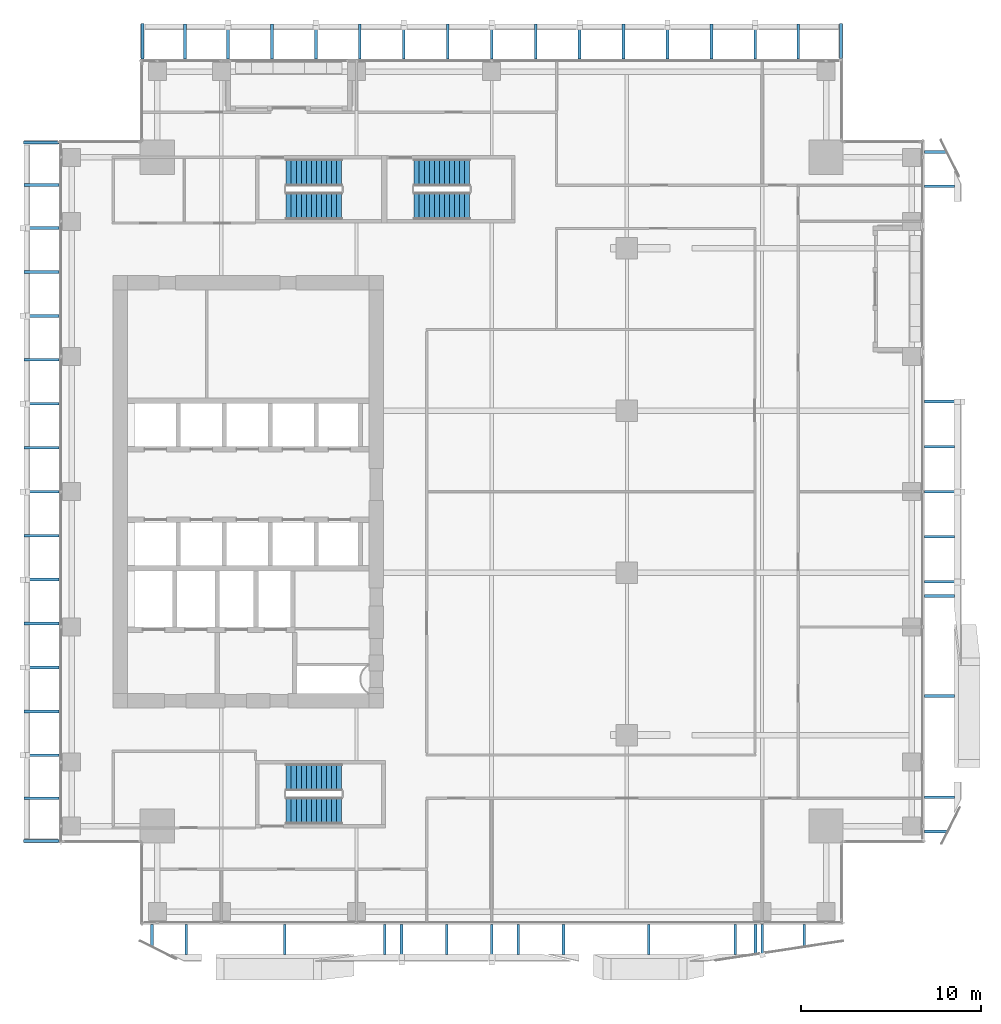
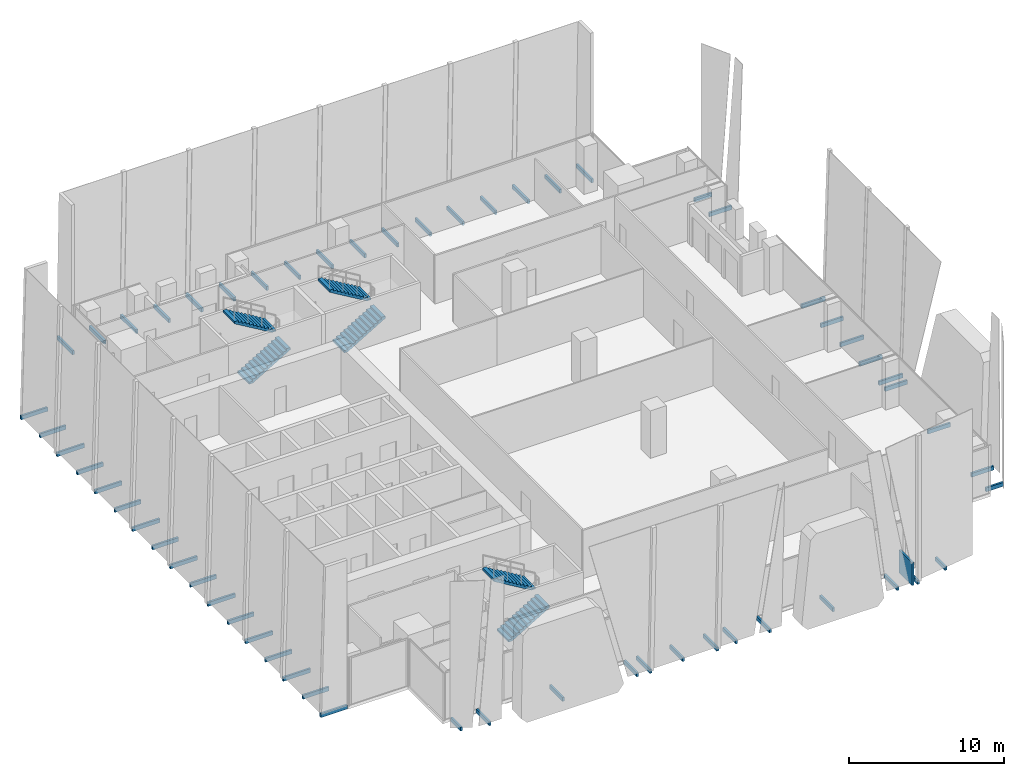
# One storey, part 31 of 35: 59 discrete accessories, 6 stair flights, 3 elements without a shape of their own.
"""IFC4 building model written with IfcOpenShell, lengths in metres."""

from ifc_helpers import new_model, si_unit, direction, frame, origin, origin_2d, place, context, subcontext, project, spatial, polyline, rectangle, outline, extrude, source, transform, mapped, material, type_object, element, aggregate, save


model = new_model("IFC4")

# Units and contexts
model_context = context("Model", 3, precision=1e-05, world=origin(), true_north=direction((0.0, 1.0)))
body_context = subcontext(model_context, "Body", "Model", "MODEL_VIEW")
ifc_project = project(units=[si_unit("LENGTHUNIT", "METRE"), si_unit("AREAUNIT", "SQUARE_METRE"), si_unit("VOLUMEUNIT", "CUBIC_METRE"), si_unit("PLANEANGLEUNIT", "RADIAN"), si_unit("MASSUNIT", "GRAM", prefix="KILO")], contexts=[model_context])

# Site, building, storey
site_placement = place(None, origin())
site = spatial("IfcSite", under=ifc_project, at=site_placement, CompositionType="ELEMENT")
building_placement = place(site_placement, origin())
building = spatial("IfcBuilding", under=site, at=building_placement, Name="Khomas Fold Tower", CompositionType="ELEMENT")
storey_placement = place(building_placement, frame((0.0, 0.0, 188.699951171875)))
storey = spatial("IfcBuildingStorey", under=building, at=storey_placement, Name="L41", CompositionType="ELEMENT", Elevation=188.699951171875)

# Stair, stair flights
ifc_material_1 = material(Name="Concrete C40/50", Category="concrete")
stair_type_1 = type_object("IfcStairType", Name="Stair ST1", PredefinedType="HALF_TURN_STAIR", material=ifc_material_1)
stair_1_placement = place(storey_placement, origin())
stair_1 = element("IfcStair", 1, at=stair_1_placement, inside=storey, type_object=stair_type_1, Name="L41 ST1", PredefinedType="HALF_TURN_STAIR")
ifc_material_2 = material(Name="Concrete C40/50", Category="concrete")
stair_flight_type_1 = type_object("IfcStairFlightType", Name="Stair flight 1500 ST1", PredefinedType="STRAIGHT", material=ifc_material_2)
shared_shape_1 = source(origin(), body_context, "Body", "SweptSolid", [
    extrude(outline(polyline([(0.0, 0.0), (0.0, 0.012939453125), (0.0, 0.025634765625), (0.0, 0.03857421875), (0.0, 0.05126953125), (0.0, 0.064208984375), (0.0, 0.076904296875), (0.0, 0.08984375), (0.0, 0.1025390625), (0.0, 0.115478515625), (0.0, 0.128173828125), (0.0, 0.14111328125), (0.0, 0.15380859375), (0.0, 0.166748046875), (0.280029296875, 0.166748046875), (0.280029296875, 0.333251953125), (0.56005859375, 0.333251953125), (0.56005859375, 0.5), (0.840087890625, 0.5), (0.840087890625, 0.666748046875), (1.1201171875, 0.666748046875), (1.1201171875, 0.833251953125), (1.39990234375, 0.833251953125), (1.39990234375, 1.0), (1.679931640625, 1.0), (1.679931640625, 1.166748046875), (1.9599609375, 1.166748046875), (1.9599609375, 1.333251953125), (2.239990234375, 1.333251953125), (2.239990234375, 1.5), (2.52001953125, 1.5), (2.52001953125, 1.666748046875), (2.800048828125, 1.666748046875), (2.800048828125, 1.833251953125), (3.080078125, 1.833251953125), (3.080078125, 2.0), (3.080078125, 1.973876953125), (3.080078125, 1.947509765625), (3.080078125, 1.92138671875), (3.080078125, 1.89501953125), (3.080078125, 1.868896484375), (3.080078125, 1.842529296875), (3.080078125, 1.81640625), (3.080078125, 1.7900390625), (3.080078125, 1.763916015625), (3.080078125, 1.737548828125), (3.080078125, 1.71142578125), (3.080078125, 1.68505859375), (3.080078125, 1.658935546875), (0.29296875, 0.0), (0.0, 0.0)])), frame((0.0, 0.75, 0.0), z_axis=(0.0, -1.0, 0.0), x_axis=(1.0, 0.0, 0.0)), (0.0, 0.0, 1.0), 1.5),
])
stair_flight_1_placement = place(storey_placement, frame((15.60009765625, 42.85009765625, 0.0), z_axis=(0.0, 0.0, 1.0), x_axis=(1.0, 0.0, 0.0)))
stair_flight_1 = element("IfcStairFlight", 2, at=stair_flight_1_placement, type_object=stair_flight_type_1, Name="ST1 flight 1", NumberOfRisers=12, NumberOfTreads=11, PredefinedType="STRAIGHT", RiserHeight=0.166666667, TreadLength=0.28, context=body_context, shape_type="MappedRepresentation", body=[
    mapped(shared_shape_1, transform((0.0, 0.0, 0.0))),
])
stair_flight_2_placement = place(storey_placement, frame((18.679931640625, 44.699951171875, 2.0), z_axis=(0.0, 0.0, 1.0), x_axis=(-1.0, 0.0, 0.0)))
stair_flight_2 = element("IfcStairFlight", 3, at=stair_flight_2_placement, type_object=stair_flight_type_1, Name="ST1 flight 2", NumberOfRisers=12, NumberOfTreads=11, PredefinedType="STRAIGHT", RiserHeight=0.166666667, TreadLength=0.28, context=body_context, shape_type="MappedRepresentation", body=[
    mapped(shared_shape_1, transform((0.0, 0.0, 0.0))),
])
aggregate(stair_1, [stair_flight_1, stair_flight_2])

ifc_material_3 = material(Name="Concrete C40/50", Category="concrete")
stair_type_2 = type_object("IfcStairType", Name="Stair ST2", PredefinedType="HALF_TURN_STAIR", material=ifc_material_3)
stair_2_placement = place(storey_placement, origin())
stair_2 = element("IfcStair", 4, at=stair_2_placement, inside=storey, type_object=stair_type_2, Name="L41 ST2", PredefinedType="HALF_TURN_STAIR")
ifc_material_4 = material(Name="Concrete C40/50", Category="concrete")
stair_flight_type_2 = type_object("IfcStairFlightType", Name="Stair flight 1500 ST2", PredefinedType="STRAIGHT", material=ifc_material_4)
stair_flight_3_placement = place(storey_placement, frame((15.60009765625, 9.300048828125, 0.0), z_axis=(0.0, 0.0, 1.0), x_axis=(1.0, 0.0, 0.0)))
stair_flight_3 = element("IfcStairFlight", 5, at=stair_flight_3_placement, type_object=stair_flight_type_2, Name="ST2 flight 1", NumberOfRisers=12, NumberOfTreads=11, PredefinedType="STRAIGHT", RiserHeight=0.166666667, TreadLength=0.28, context=body_context, shape_type="MappedRepresentation", body=[
    mapped(shared_shape_1, transform((0.0, 0.0, 0.0))),
])
stair_flight_4_placement = place(storey_placement, frame((18.679931640625, 11.14990234375, 2.0), z_axis=(0.0, 0.0, 1.0), x_axis=(-1.0, 0.0, 0.0)))
stair_flight_4 = element("IfcStairFlight", 6, at=stair_flight_4_placement, type_object=stair_flight_type_2, Name="ST2 flight 2", NumberOfRisers=12, NumberOfTreads=11, PredefinedType="STRAIGHT", RiserHeight=0.166666667, TreadLength=0.28, context=body_context, shape_type="MappedRepresentation", body=[
    mapped(shared_shape_1, transform((0.0, 0.0, 0.0))),
])
aggregate(stair_2, [stair_flight_3, stair_flight_4])

ifc_material_5 = material(Name="Concrete C40/50", Category="concrete")
stair_type_3 = type_object("IfcStairType", Name="Stair ST3", PredefinedType="HALF_TURN_STAIR", material=ifc_material_5)
stair_3_placement = place(storey_placement, origin())
stair_3 = element("IfcStair", 7, at=stair_3_placement, inside=storey, type_object=stair_type_3, Name="L41 ST3", PredefinedType="HALF_TURN_STAIR")
ifc_material_6 = material(Name="Concrete C40/50", Category="concrete")
stair_flight_type_3 = type_object("IfcStairFlightType", Name="Stair flight 1500 ST3", PredefinedType="STRAIGHT", material=ifc_material_6)
stair_flight_5_placement = place(storey_placement, frame((22.699951171875, 42.85009765625, 0.0), z_axis=(0.0, 0.0, 1.0), x_axis=(1.0, 0.0, 0.0)))
stair_flight_5 = element("IfcStairFlight", 8, at=stair_flight_5_placement, type_object=stair_flight_type_3, Name="ST3 flight 1", NumberOfRisers=12, NumberOfTreads=11, PredefinedType="STRAIGHT", RiserHeight=0.166666667, TreadLength=0.28, context=body_context, shape_type="MappedRepresentation", body=[
    mapped(shared_shape_1, transform((0.0, 0.0, 0.0))),
])
stair_flight_6_placement = place(storey_placement, frame((25.780029296875, 44.699951171875, 2.0), z_axis=(0.0, 0.0, 1.0), x_axis=(-1.0, 0.0, 0.0)))
stair_flight_6 = element("IfcStairFlight", 9, at=stair_flight_6_placement, type_object=stair_flight_type_3, Name="ST3 flight 2", NumberOfRisers=12, NumberOfTreads=11, PredefinedType="STRAIGHT", RiserHeight=0.166666667, TreadLength=0.28, context=body_context, shape_type="MappedRepresentation", body=[
    mapped(shared_shape_1, transform((0.0, 0.0, 0.0))),
])
aggregate(stair_3, [stair_flight_5, stair_flight_6])

# Discrete accessories
ifc_material_7 = material(Name="Stainless steel", Category="steel")
discrete_accessory_type = type_object("IfcDiscreteAccessoryType", Name="SK-Stainless steel stone bracket", PredefinedType="BRACKET", material=ifc_material_7)
shared_shape_2 = source(origin(), body_context, "Body", "SweptSolid", [
    extrude(rectangle(XDim=1.67724609375, YDim=0.14990234375, at=origin_2d()), origin(), (0.0, 0.0, 1.0), 0.31005859375),
])
for number, where, z_axis, x_axis, name in (
    (10, (15.5263671875, 2.161376953125, -0.25), (0.0, 0.0, 1.0), (0.0, -1.0, 0.0), "Stone bracket L41 SS03-1-1"),
    (11, (35.7099609375, 2.161376953125, -0.25), (0.0, 0.0, 1.0), (0.0, -1.0, 0.0), "Stone bracket L41 SS06-2-1"),
    (12, (51.838623046875, 15.668701171875, -0.25), (0.0, 0.0, 1.0), (1.0, 0.0, 0.0), "Stone bracket L41 ES03-1-1"),
    (13, (10.051513671875, 2.161376953125, -0.25), (0.0, 0.0, 1.0), (0.0, -1.0, 0.0), "Stone bracket L41 SG099-1-1"),
    (14, (30.98388671875, 2.161376953125, -0.25), (0.0, 0.0, 1.0), (0.0, -1.0, 0.0), "Stone bracket L41 SG103-3-1"),
    (15, (21.072998046875, 2.161376953125, -0.25), (0.0, 0.0, 1.0), (0.0, -1.0, 0.0), "Stone bracket L41 SG101-4-1"),
    (16, (24.5, 2.161376953125, -0.25), (0.0, 0.0, 1.0), (0.0, -1.0, 0.0), "Stone bracket L41 SG102-6-1"),
    (17, (28.469482421875, 2.161376953125, -0.25), (0.0, 0.0, 1.0), (0.0, -1.0, 0.0), "Stone bracket L41 SG103-8-1"),
    (18, (40.50244140625, 2.161376953125, -0.25), (0.0, 0.0, 1.0), (0.0, -1.0, 0.0), "Stone bracket L41 SG105-9-1"),
    (19, (51.838623046875, 10.051513671875, -0.25), (0.0, 0.0, 1.0), (1.0, 0.0, 0.0), "Stone bracket L41 EG099-1-1"),
    (20, (51.838623046875, 21.21875, -0.25), (0.0, 0.0, 1.0), (1.0, 0.0, 0.0), "Stone bracket L41 EG101-3-1"),
    (21, (51.838623046875, 24.5, -0.25), (0.0, 0.0, 1.0), (1.0, 0.0, 0.0), "Stone bracket L41 EG102-5-1"),
    (22, (51.838623046875, 29.5, -0.25), (0.0, 0.0, 1.0), (1.0, 0.0, 0.0), "Stone bracket L41 EG103-7-1"),
    (23, (51.838623046875, 43.948486328125, -0.25), (0.0, 0.0, 1.0), (1.0, 0.0, 0.0), "Stone bracket L41 EG106-9-1"),
):
    element("IfcDiscreteAccessory", number, at=place(storey_placement, frame(where, z_axis=z_axis, x_axis=x_axis)), inside=storey, type_object=discrete_accessory_type, Name=name, PredefinedType="BRACKET", context=body_context, shape_type="MappedRepresentation", body=[
        mapped(shared_shape_2, transform((0.0, 0.0, 0.0))),
    ])
shared_shape_3 = source(origin(), body_context, "Body", "SweptSolid", [
    extrude(rectangle(XDim=1.2890625, YDim=0.14990234375, at=origin_2d()), origin(), (0.0, 0.0, 1.0), 0.31005859375),
])
for number, where, z_axis, x_axis, name in (
    (24, (8.1533203125, 2.35546875, -0.25), (0.0, 0.0, 1.0), (0.0, -1.0, 0.0), "Stone bracket L41 SG099-2-1"),
    (25, (51.64453125, 8.1533203125, -0.25), (0.0, 0.0, 1.0), (1.0, 0.0, 0.0), "Stone bracket L41 EG099-2-1"),
    (26, (51.64453125, 45.8466796875, -0.25), (0.0, 0.0, 1.0), (1.0, 0.0, 0.0), "Stone bracket L41 EG106-10-1"),
):
    element("IfcDiscreteAccessory", number, at=place(storey_placement, frame(where, z_axis=z_axis, x_axis=x_axis)), inside=storey, type_object=discrete_accessory_type, Name=name, PredefinedType="BRACKET", context=body_context, shape_type="MappedRepresentation", body=[
        mapped(shared_shape_3, transform((0.0, 0.0, 0.0))),
    ])
shared_shape_4 = source(origin(), body_context, "Body", "SweptSolid", [
    extrude(rectangle(XDim=1.772216796875, YDim=0.14990234375, at=origin_2d()), origin(), (0.0, 0.0, 1.0), 0.31005859375),
])
for number, where, z_axis, x_axis, name in (
    (27, (22.0, 2.11376953125, -0.25), (0.0, 0.0, 1.0), (0.0, -1.0, 0.0), "Stone bracket L41 SM102-5-1"),
    (28, (27.0, 2.11376953125, -0.25), (0.0, 0.0, 1.0), (0.0, -1.0, 0.0), "Stone bracket L41 SM103-7-1"),
    (29, (51.88623046875, 22.0, -0.25), (0.0, 0.0, 1.0), (1.0, 0.0, 0.0), "Stone bracket L41 EM102-4-1"),
    (30, (51.88623046875, 27.0, -0.25), (0.0, 0.0, 1.0), (1.0, 0.0, 0.0), "Stone bracket L41 EM103-6-1"),
    (31, (51.88623046875, 32.0, -0.25), (0.0, 0.0, 1.0), (1.0, 0.0, 0.0), "Stone bracket L41 EM104-8-1"),
):
    element("IfcDiscreteAccessory", number, at=place(storey_placement, frame(where, z_axis=z_axis, x_axis=x_axis)), inside=storey, type_object=discrete_accessory_type, Name=name, PredefinedType="BRACKET", context=body_context, shape_type="MappedRepresentation", body=[
        mapped(shared_shape_4, transform((0.0, 0.0, 0.0))),
    ])
shared_shape_5 = source(origin(), body_context, "Body", "SweptSolid", [
    extrude(rectangle(XDim=1.676025390625, YDim=0.14990234375, at=origin_2d()), origin(), (0.0, 0.0, 1.0), 1.81005859375),
])
discrete_accessory_1_placement = place(storey_placement, frame((41.634033203125, 2.161865234375, -0.25), z_axis=(0.0, 0.0, 1.0), x_axis=(0.0, -1.0, 0.0)))
element("IfcDiscreteAccessory", 32, at=discrete_accessory_1_placement, inside=storey, type_object=discrete_accessory_type, Name="Stone bracket L41 SG105-10-1", PredefinedType="BRACKET", context=body_context, shape_type="MappedRepresentation", body=[
    mapped(shared_shape_5, transform((0.0, 0.0, 0.0))),
])
shared_shape_6 = source(origin(), body_context, "Body", "SweptSolid", [
    extrude(rectangle(XDim=1.73828125, YDim=0.14990234375, at=origin_2d()), origin(), (0.0, 0.0, 1.0), 0.31005859375),
])
discrete_accessory_2_placement = place(storey_placement, frame((42.0, 2.130859375, -0.25), z_axis=(0.0, 0.0, 1.0), x_axis=(0.0, -1.0, 0.0)))
element("IfcDiscreteAccessory", 33, at=discrete_accessory_2_placement, inside=storey, type_object=discrete_accessory_type, Name="Stone bracket L41 SM106-11-1", PredefinedType="BRACKET", context=body_context, shape_type="MappedRepresentation", body=[
    mapped(shared_shape_6, transform((0.0, 0.0, 0.0))),
])
shared_shape_7 = source(origin(), body_context, "Body", "SweptSolid", [
    extrude(rectangle(XDim=1.265380859375, YDim=0.14990234375, at=origin_2d()), origin(), (0.0, 0.0, 1.0), 0.31005859375),
])
discrete_accessory_3_placement = place(storey_placement, frame((44.3349609375, 2.3671875, -0.25), z_axis=(0.0, 0.0, 1.0), x_axis=(0.0, -1.0, 0.0)))
element("IfcDiscreteAccessory", 34, at=discrete_accessory_3_placement, inside=storey, type_object=discrete_accessory_type, Name="Stone bracket L41 SG106-12-1", PredefinedType="BRACKET", context=body_context, shape_type="MappedRepresentation", body=[
    mapped(shared_shape_7, transform((0.0, 0.0, 0.0))),
])
shared_shape_8 = source(origin(), body_context, "Body", "SweptSolid", [
    extrude(rectangle(XDim=1.94091796875, YDim=0.14990234375, at=origin_2d()), origin(), (0.0, 0.0, 1.0), 0.31005859375),
])
for number, where, z_axis, x_axis, name in (
    (35, (9.987548828125, 51.970458984375, -0.25), (0.0, 0.0, 1.0), (0.0, 1.0, 0.0), "Stone bracket L41 PLNG01"),
    (36, (14.8125, 51.970458984375, -0.25), (0.0, 0.0, 1.0), (0.0, 1.0, 0.0), "Stone bracket L41 PLNG03"),
    (37, (19.6875, 51.970458984375, -0.25), (0.0, 0.0, 1.0), (0.0, 1.0, 0.0), "Stone bracket L41 PLNG05"),
    (38, (24.5625, 51.970458984375, -0.25), (0.0, 0.0, 1.0), (0.0, 1.0, 0.0), "Stone bracket L41 PLNG07"),
    (39, (29.4375, 51.970458984375, -0.25), (0.0, 0.0, 1.0), (0.0, 1.0, 0.0), "Stone bracket L41 PLNG09"),
    (40, (34.3125, 51.970458984375, -0.25), (0.0, 0.0, 1.0), (0.0, 1.0, 0.0), "Stone bracket L41 PLNG11"),
    (41, (39.1875, 51.970458984375, -0.25), (0.0, 0.0, 1.0), (0.0, 1.0, 0.0), "Stone bracket L41 PLNG13"),
    (42, (44.012451171875, 51.970458984375, -0.25), (0.0, 0.0, 1.0), (0.0, 1.0, 0.0), "Stone bracket L41 PLNG15"),
    (43, (2.029541015625, 9.987548828125, -0.25), (0.0, 0.0, 1.0), (-1.0, 0.0, 0.0), "Stone bracket L41 PLWG01"),
    (44, (2.029541015625, 14.8125, -0.25), (0.0, 0.0, 1.0), (-1.0, 0.0, 0.0), "Stone bracket L41 PLWG03"),
    (45, (2.029541015625, 19.6875, -0.25), (0.0, 0.0, 1.0), (-1.0, 0.0, 0.0), "Stone bracket L41 PLWG05"),
    (46, (2.029541015625, 24.5625, -0.25), (0.0, 0.0, 1.0), (-1.0, 0.0, 0.0), "Stone bracket L41 PLWG07"),
    (47, (2.029541015625, 29.4375, -0.25), (0.0, 0.0, 1.0), (-1.0, 0.0, 0.0), "Stone bracket L41 PLWG09"),
    (48, (2.029541015625, 34.3125, -0.25), (0.0, 0.0, 1.0), (-1.0, 0.0, 0.0), "Stone bracket L41 PLWG11"),
    (49, (2.029541015625, 39.1875, -0.25), (0.0, 0.0, 1.0), (-1.0, 0.0, 0.0), "Stone bracket L41 PLWG13"),
    (50, (2.029541015625, 44.012451171875, -0.25), (0.0, 0.0, 1.0), (-1.0, 0.0, 0.0), "Stone bracket L41 PLWG15"),
):
    element("IfcDiscreteAccessory", number, at=place(storey_placement, frame(where, z_axis=z_axis, x_axis=x_axis)), inside=storey, type_object=discrete_accessory_type, Name=name, PredefinedType="BRACKET", context=body_context, shape_type="MappedRepresentation", body=[
        mapped(shared_shape_8, transform((0.0, 0.0, 0.0))),
    ])
shared_shape_9 = source(origin(), body_context, "Body", "SweptSolid", [
    extrude(rectangle(XDim=2.035888671875, YDim=0.14990234375, at=origin_2d()), origin(), (0.0, 0.0, 1.0), 0.31005859375),
])
for number, where, z_axis, x_axis, name in (
    (51, (12.375, 52.017822265625, -0.25), (0.0, 0.0, 1.0), (0.0, 1.0, 0.0), "Stone bracket L41 PLNM02"),
    (52, (17.25, 52.017822265625, -0.25), (0.0, 0.0, 1.0), (0.0, 1.0, 0.0), "Stone bracket L41 PLNM04"),
    (53, (22.125, 52.017822265625, -0.25), (0.0, 0.0, 1.0), (0.0, 1.0, 0.0), "Stone bracket L41 PLNM06"),
    (54, (27.0, 52.017822265625, -0.25), (0.0, 0.0, 1.0), (0.0, 1.0, 0.0), "Stone bracket L41 PLNM08"),
    (55, (31.875, 52.017822265625, -0.25), (0.0, 0.0, 1.0), (0.0, 1.0, 0.0), "Stone bracket L41 PLNM10"),
    (56, (36.75, 52.017822265625, -0.25), (0.0, 0.0, 1.0), (0.0, 1.0, 0.0), "Stone bracket L41 PLNM12"),
    (57, (41.625, 52.017822265625, -0.25), (0.0, 0.0, 1.0), (0.0, 1.0, 0.0), "Stone bracket L41 PLNM14"),
    (58, (1.982177734375, 12.375, -0.25), (0.0, 0.0, 1.0), (-1.0, 0.0, 0.0), "Stone bracket L41 PLWM02"),
    (59, (1.982177734375, 17.25, -0.25), (0.0, 0.0, 1.0), (-1.0, 0.0, 0.0), "Stone bracket L41 PLWM04"),
    (60, (1.982177734375, 22.125, -0.25), (0.0, 0.0, 1.0), (-1.0, 0.0, 0.0), "Stone bracket L41 PLWM06"),
    (61, (1.982177734375, 27.0, -0.25), (0.0, 0.0, 1.0), (-1.0, 0.0, 0.0), "Stone bracket L41 PLWM08"),
    (62, (1.982177734375, 31.875, -0.25), (0.0, 0.0, 1.0), (-1.0, 0.0, 0.0), "Stone bracket L41 PLWM10"),
    (63, (1.982177734375, 36.75, -0.25), (0.0, 0.0, 1.0), (-1.0, 0.0, 0.0), "Stone bracket L41 PLWM12"),
    (64, (1.982177734375, 41.625, -0.25), (0.0, 0.0, 1.0), (-1.0, 0.0, 0.0), "Stone bracket L41 PLWM14"),
):
    element("IfcDiscreteAccessory", number, at=place(storey_placement, frame(where, z_axis=z_axis, x_axis=x_axis)), inside=storey, type_object=discrete_accessory_type, Name=name, PredefinedType="BRACKET", context=body_context, shape_type="MappedRepresentation", body=[
        mapped(shared_shape_9, transform((0.0, 0.0, 0.0))),
    ])
shared_shape_10 = source(origin(), body_context, "Body", "SweptSolid", [
    extrude(rectangle(XDim=1.980712890625, YDim=0.14990234375, at=origin_2d()), origin(), (0.0, 0.0, 1.0), 0.31005859375),
])
for number, where, z_axis, x_axis, name in (
    (65, (7.625, 51.990478515625, -0.25), (0.0, 0.0, 1.0), (0.0, 1.0, 0.0), "Stone bracket L41 PLNR1"),
    (66, (46.375, 51.990478515625, -0.25), (0.0, 0.0, 1.0), (0.0, 1.0, 0.0), "Stone bracket L41 PLNR2"),
    (67, (2.009521484375, 7.625, -0.25), (0.0, 0.0, 1.0), (-1.0, 0.0, 0.0), "Stone bracket L41 PLWR1"),
    (68, (2.009521484375, 46.375, -0.25), (0.0, 0.0, 1.0), (-1.0, 0.0, 0.0), "Stone bracket L41 PLWR2"),
):
    element("IfcDiscreteAccessory", number, at=place(storey_placement, frame(where, z_axis=z_axis, x_axis=x_axis)), inside=storey, type_object=discrete_accessory_type, Name=name, PredefinedType="BRACKET", context=body_context, shape_type="MappedRepresentation", body=[
        mapped(shared_shape_10, transform((0.0, 0.0, 0.0))),
    ])

save(model, "model.ifc")
